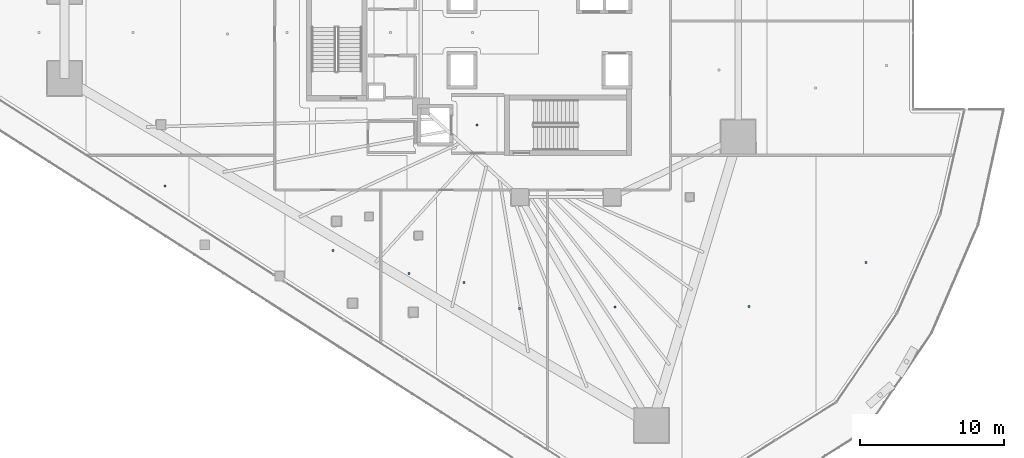
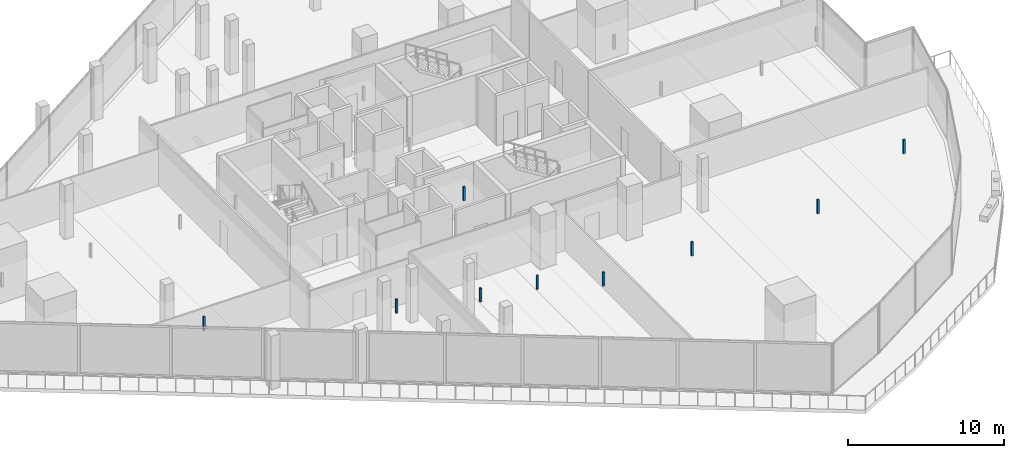
# One storey, part 31 of 44: 9 discrete accessories.
"""IFC4 building model written with IfcOpenShell, lengths in metres."""

from ifc_helpers import new_model, si_unit, direction, frame, origin, origin_2d, place, context, subcontext, project, spatial, rectangle, extrude, material, type_object, element, save


model = new_model("IFC4")

# Units and contexts
model_context = context("Model", 3, precision=1e-05, world=origin(), true_north=direction((0.0, 1.0)))
body_context = subcontext(model_context, "Body", "Model", "MODEL_VIEW")
ifc_project = project(units=[si_unit("LENGTHUNIT", "METRE"), si_unit("AREAUNIT", "SQUARE_METRE"), si_unit("VOLUMEUNIT", "CUBIC_METRE"), si_unit("PLANEANGLEUNIT", "RADIAN"), si_unit("MASSUNIT", "GRAM", prefix="KILO")], contexts=[model_context])

# Site, building, storey
site_placement = place(None, origin())
site = spatial("IfcSite", under=ifc_project, at=site_placement, CompositionType="ELEMENT")
building_placement = place(site_placement, origin())
building = spatial("IfcBuilding", under=site, at=building_placement, Name="Qorvath Tower", CompositionType="ELEMENT")
storey_placement = place(building_placement, frame((0.0, 0.0, 40.800048828125)))
storey = spatial("IfcBuildingStorey", under=building, at=storey_placement, Name="L08", CompositionType="ELEMENT", Elevation=40.800048828125)

# Discrete accessories
ifc_material = material(Name="Galvanised steel bracket", Category="steel")
discrete_accessory_type = type_object("IfcDiscreteAccessoryType", Name="DA-BRACKET", PredefinedType="BRACKET", material=ifc_material)
for number, where, z_axis, x_axis, name in (
    (1, (-26.590087890625, -6.449951171875, 2.85986328125), (0.0, 0.0, 1.0), (1.0, 0.0, 0.0), "Acoustic Ceiling Suspension Hanger T1-L08-002"),
    (2, (-48.2890625, -10.677978515625, 2.85986328125), (0.0, 0.0, 1.0), (1.0, 0.0, 0.0), "Acoustic Ceiling Suspension Hanger T1-L08-013"),
    (3, (-36.621826171875, -15.180419921875, 2.85986328125), (0.0, 0.0, 1.0), (1.0, 0.0, 0.0), "Acoustic Ceiling Suspension Hanger T1-L08-015"),
    (4, (-31.34130859375, -16.776123046875, 2.85986328125), (0.0, 0.0, 1.0), (1.0, 0.0, 0.0), "Acoustic Ceiling Suspension Hanger T1-L08-016"),
    (5, (-27.48486328125, -17.384765625, 2.85986328125), (0.0, 0.0, 1.0), (1.0, 0.0, 0.0), "Acoustic Ceiling Suspension Hanger T1-L08-017"),
    (6, (-23.62841796875, -19.190673828125, 2.85986328125), (0.0, 0.0, 1.0), (1.0, 0.0, 0.0), "Acoustic Ceiling Suspension Hanger T1-L08-018"),
    (7, (-17.013916015625, -19.09912109375, 2.85986328125), (0.0, 0.0, 1.0), (1.0, 0.0, 0.0), "Acoustic Ceiling Suspension Hanger T1-L08-019"),
    (8, (-7.677001953125, -19.050537109375, 2.85986328125), (0.0, 0.0, 1.0), (1.0, 0.0, 0.0), "Acoustic Ceiling Suspension Hanger T1-L08-020"),
    (9, (0.451904296875, -16.00048828125, 2.85986328125), (0.0, 0.0, 1.0), (1.0, 0.0, 0.0), "Acoustic Ceiling Suspension Hanger T1-L08-021"),
):
    element("IfcDiscreteAccessory", number, at=place(storey_placement, frame(where, z_axis=z_axis, x_axis=x_axis)), inside=storey, type_object=discrete_accessory_type, Name=name, PredefinedType="NOTDEFINED", context=body_context, shape_type="SweptSolid", body=[
        extrude(rectangle(XDim=0.139892578125, YDim=0.139892578125, at=origin_2d()), origin(), (0.0, 0.0, 1.0), 1.090087890625),
    ])

save(model, "model.ifc")
